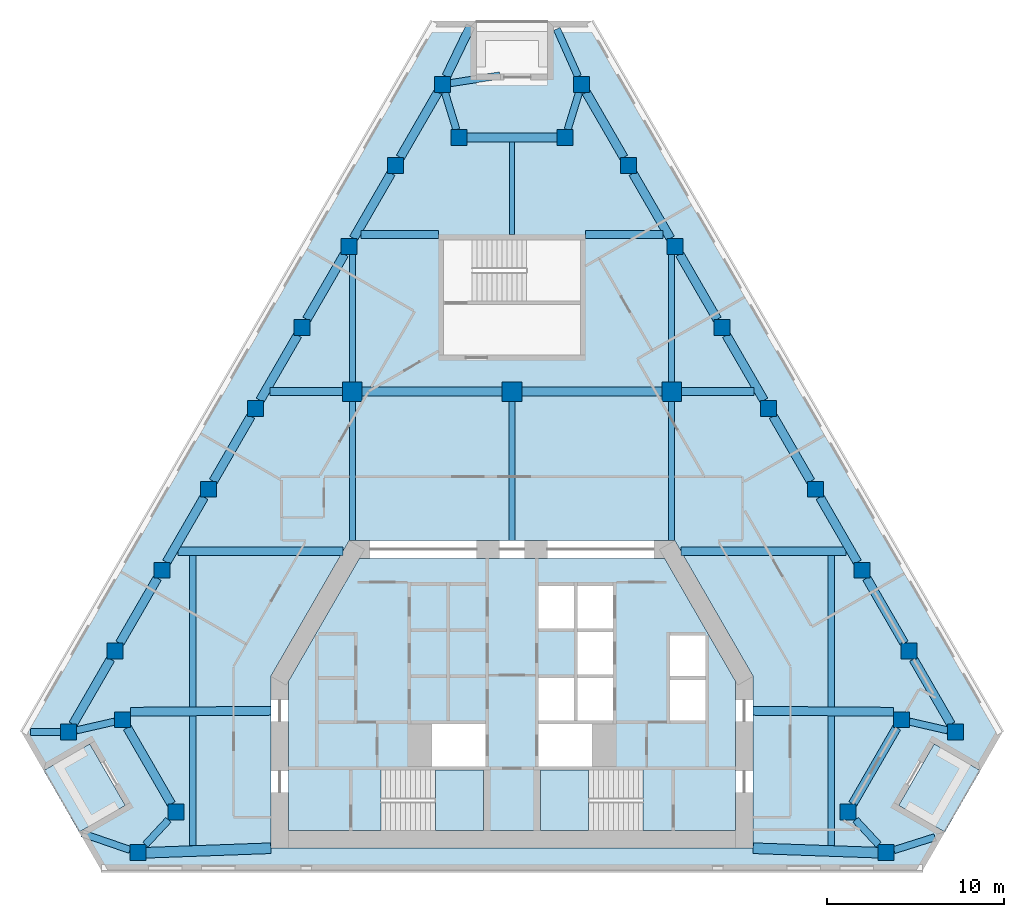
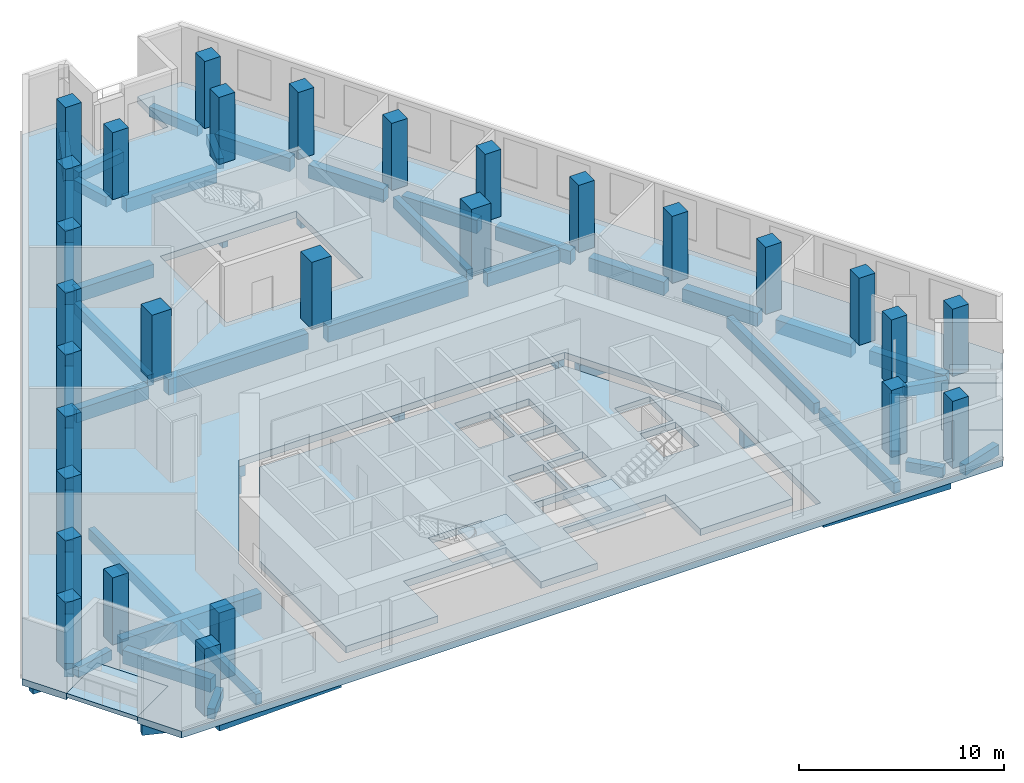
# One storey, part 1 of 9: 53 beams, 29 columns, 6 slabs, 2 elements without a shape of their own.
"""IFC4 building model written with IfcOpenShell, lengths in metres."""

from ifc_helpers import new_model, si_unit, direction, frame, origin, origin_2d, place, context, subcontext, project, spatial, polyline, rectangle, outline, extrude, material, layer, layer_set, material_profile, profile_set, type_object, element, aggregate, save


model = new_model("IFC4")

# Units and contexts
model_context = context("Model", 3, precision=1e-05, world=origin(), true_north=direction((0.0, 1.0)))
body_context = subcontext(model_context, "Body", "Model", "MODEL_VIEW")
ifc_project = project(units=[si_unit("LENGTHUNIT", "METRE"), si_unit("AREAUNIT", "SQUARE_METRE"), si_unit("VOLUMEUNIT", "CUBIC_METRE"), si_unit("PLANEANGLEUNIT", "RADIAN"), si_unit("MASSUNIT", "GRAM", prefix="KILO")], contexts=[model_context])

# Site, building, storey
site_placement = place(None, origin())
site = spatial("IfcSite", under=ifc_project, at=site_placement, CompositionType="ELEMENT")
building_placement = place(site_placement, origin())
building = spatial("IfcBuilding", under=site, at=building_placement, Name="Fogline Exchange Tower", CompositionType="ELEMENT")
storey_placement = place(building_placement, frame((0.0, 0.0, 202.10009765625)))
storey = spatial("IfcBuildingStorey", under=building, at=storey_placement, Name="L45", CompositionType="ELEMENT", Elevation=202.10009765625)

# Columns
ifc_material_1 = material(Name="Concrete C60", Category="concrete")
ifc_material_profile_1 = material_profile(ifc_material_1, rectangle(XDim=1.10009765625, YDim=1.10009765625, at=origin_2d()), Name="RC 1100x1100")
ifc_profile_set_1 = profile_set([ifc_material_profile_1], Name="Concrete C60")
column_type_1 = type_object("IfcColumnType", Name="C05", PredefinedType="COLUMN", material=ifc_profile_set_1)
for number, where, z_axis, x_axis, name in (
    (1, (-9.0, 27.0, 0.0), (0.0, 0.0, 1.0), (1.0, 0.0, 0.0), "IC--9-27"),
    (2, (0.0, 27.0, 0.0), (0.0, 0.0, 1.0), (1.0, 0.0, 0.0), "IC-0-27"),
    (3, (9.0, 27.0, 0.0), (0.0, 0.0, 1.0), (1.0, 0.0, 0.0), "IC-9-27"),
):
    element("IfcColumn", number, at=place(storey_placement, frame(where, z_axis=z_axis, x_axis=x_axis)), inside=storey, type_object=column_type_1, Name=name, PredefinedType="COLUMN", context=body_context, shape_type="SweptSolid", body=[
        extrude(rectangle(XDim=1.10009765625, YDim=1.10009765625, at=origin_2d()), origin(), (0.0, 0.0, 1.0), 4.0),
    ])
ifc_material_profile_2 = material_profile(ifc_material_1, rectangle(XDim=0.89990234375, YDim=0.89990234375, at=origin_2d()), Name="RC 900x900")
ifc_profile_set_2 = profile_set([ifc_material_profile_2], Name="Concrete C60")
column_type_2 = type_object("IfcColumnType", Name="C06", PredefinedType="COLUMN", material=ifc_profile_set_2)
for number, where, z_axis, x_axis, name in (
    (4, (-25.0146484375, 7.794189453125, 0.0), (0.0, 0.0, 1.0), (1.0, 0.0, 0.0), "SW-a"),
    (5, (-21.955322265625, 8.4951171875, 0.0), (0.0, 0.0, 1.0), (1.0, 0.0, 0.0), "SW-p4"),
    (6, (-18.955322265625, 3.299072265625, 0.0), (0.0, 0.0, 1.0), (1.0, 0.0, 0.0), "SW-p3"),
    (7, (-21.092041015625, 1.0, 0.0), (0.0, 0.0, 1.0), (1.0, 0.0, 0.0), "SW-b"),
    (8, (21.092041015625, 1.0, 0.0), (0.0, 0.0, 1.0), (1.0, 0.0, 0.0), "SE-a"),
    (9, (18.955322265625, 3.299072265625, 0.0), (0.0, 0.0, 1.0), (1.0, 0.0, 0.0), "SE-p4"),
    (10, (21.955322265625, 8.4951171875, 0.0), (0.0, 0.0, 1.0), (1.0, 0.0, 0.0), "SE-p3"),
    (11, (25.0146484375, 7.794189453125, 0.0), (0.0, 0.0, 1.0), (1.0, 0.0, 0.0), "SE-b"),
    (12, (22.378173828125, 12.36083984375, 0.0), (0.0, 0.0, 1.0), (1.0, 0.0, 0.0), "E1"),
    (13, (19.74169921875, 16.92724609375, 0.0), (0.0, 0.0, 1.0), (1.0, 0.0, 0.0), "E2"),
    (14, (17.105224609375, 21.493896484375, 0.0), (0.0, 0.0, 1.0), (1.0, 0.0, 0.0), "E3"),
    (15, (14.46875, 26.060302734375, 0.0), (0.0, 0.0, 1.0), (1.0, 0.0, 0.0), "E4"),
    (16, (11.832275390625, 30.626953125, 0.0), (0.0, 0.0, 1.0), (1.0, 0.0, 0.0), "E5"),
    (17, (9.19580078125, 35.193603515625, 0.0), (0.0, 0.0, 1.0), (1.0, 0.0, 0.0), "E6"),
    (18, (6.55908203125, 39.760009765625, 0.0), (0.0, 0.0, 1.0), (1.0, 0.0, 0.0), "E7"),
    (19, (3.922607421875, 44.32666015625, 0.0), (0.0, 0.0, 1.0), (1.0, 0.0, 0.0), "N-a"),
    (20, (3.0, 41.32666015625, 0.0), (0.0, 0.0, 1.0), (1.0, 0.0, 0.0), "N-p4"),
    (21, (-3.0, 41.32666015625, 0.0), (0.0, 0.0, 1.0), (1.0, 0.0, 0.0), "N-p3"),
    (22, (-3.922607421875, 44.32666015625, 0.0), (0.0, 0.0, 1.0), (1.0, 0.0, 0.0), "N-b"),
    (23, (-6.55908203125, 39.760009765625, 0.0), (0.0, 0.0, 1.0), (1.0, 0.0, 0.0), "W1"),
    (24, (-9.19580078125, 35.193603515625, 0.0), (0.0, 0.0, 1.0), (1.0, 0.0, 0.0), "W2"),
    (25, (-11.832275390625, 30.626953125, 0.0), (0.0, 0.0, 1.0), (1.0, 0.0, 0.0), "W3"),
    (26, (-14.46875, 26.060302734375, 0.0), (0.0, 0.0, 1.0), (1.0, 0.0, 0.0), "W4"),
    (27, (-17.105224609375, 21.493896484375, 0.0), (0.0, 0.0, 1.0), (1.0, 0.0, 0.0), "W5"),
    (28, (-19.74169921875, 16.92724609375, 0.0), (0.0, 0.0, 1.0), (1.0, 0.0, 0.0), "W6"),
    (29, (-22.378173828125, 12.36083984375, 0.0), (0.0, 0.0, 1.0), (1.0, 0.0, 0.0), "W7"),
):
    element("IfcColumn", number, at=place(storey_placement, frame(where, z_axis=z_axis, x_axis=x_axis)), inside=storey, type_object=column_type_2, Name=name, PredefinedType="COLUMN", context=body_context, shape_type="SweptSolid", body=[
        extrude(rectangle(XDim=0.89990234375, YDim=0.89990234375, at=origin_2d()), origin(), (0.0, 0.0, 1.0), 4.0),
    ])

# Beams
ifc_material_2 = material(Name="Concrete C40", Category="concrete")
ifc_material_profile_3 = material_profile(ifc_material_2, rectangle(XDim=0.300048828125, YDim=0.60009765625, at=origin_2d()), Name="RC 300x600")
ifc_profile_set_3 = profile_set([ifc_material_profile_3], Name="Concrete C40")
beam_type_1 = type_object("IfcBeamType", Name="B06", PredefinedType="BEAM", material=ifc_profile_set_3)
beam_1_placement = place(storey_placement, frame((0.0, 35.85693359375, -0.7001953125), z_axis=(0.0, 1.0, 0.0), x_axis=(-1.0, 0.0, 0.0)))
element("IfcBeam", 30, at=beam_1_placement, inside=storey, type_object=beam_type_1, Name="SB006", PredefinedType="BEAM", context=body_context, shape_type="SweptSolid", body=[
    extrude(rectangle(XDim=0.300048828125, YDim=0.60009765625, at=origin_2d()), origin(), (0.0, 0.0, 1.0), 5.2197265625),
])
ifc_material_profile_4 = material_profile(ifc_material_2, rectangle(XDim=0.60009765625, YDim=0.89990234375, at=origin_2d()), Name="RC 600x900")
ifc_profile_set_4 = profile_set([ifc_material_profile_4], Name="Concrete C40")
beam_type_2 = type_object("IfcBeamType", Name="B09", PredefinedType="BEAM", material=ifc_profile_set_4)
beam_2_placement = place(storey_placement, frame((-20.64208984375, 0.99462890625, -0.85009765625), z_axis=(0.999343107492, 0.036240219472, 0.0), x_axis=(-0.036240219472, 0.999343107492, 0.0)))
element("IfcBeam", 31, at=beam_2_placement, inside=storey, type_object=beam_type_2, Name="RB004", PredefinedType="BEAM", context=body_context, shape_type="SweptSolid", body=[
    extrude(rectangle(XDim=0.60009765625, YDim=0.89990234375, at=origin_2d()), origin(), (0.0, 0.0, 1.0), 7.046630859375),
])
beam_3_placement = place(storey_placement, frame((13.60009765625, 1.25, -0.85009765625), z_axis=(0.99937042328, -0.035478966629, 0.0), x_axis=(0.035478966629, 0.99937042328, 0.0)))
element("IfcBeam", 32, at=beam_3_placement, inside=storey, type_object=beam_type_2, Name="RB005", PredefinedType="BEAM", context=body_context, shape_type="SweptSolid", body=[
    extrude(rectangle(XDim=0.60009765625, YDim=0.89990234375, at=origin_2d()), origin(), (0.0, 0.0, 1.0), 7.04638671875),
])
ifc_material_profile_5 = material_profile(ifc_material_2, rectangle(XDim=0.5, YDim=0.800048828125, at=origin_2d()), Name="RC 500x800")
ifc_profile_set_5 = profile_set([ifc_material_profile_5], Name="Concrete C40")
beam_type_3 = type_object("IfcBeamType", Name="B10", PredefinedType="BEAM", material=ifc_profile_set_5)
for number, where, z_axis, x_axis, name in (
    (33, (-21.6953125, 8.045166015625, -0.800048828125), (0.499976646485, -0.866038886523, 0.0), (0.866038886523, 0.499976646485, 0.0), "RB002"),
    (34, (19.215087890625, 3.7490234375, -0.800048828125), (0.499976646485, 0.866038886523, 0.0), (-0.866038886523, 0.499976646485, 0.0), "RB007"),
):
    element("IfcBeam", number, at=place(storey_placement, frame(where, z_axis=z_axis, x_axis=x_axis)), inside=storey, type_object=beam_type_3, Name=name, PredefinedType="BEAM", context=body_context, shape_type="SweptSolid", body=[
        extrude(rectangle(XDim=0.5, YDim=0.800048828125, at=origin_2d()), origin(), (0.0, 0.0, 1.0), 4.960693359375),
    ])
beam_4_placement = place(storey_placement, frame((24.7548828125, 8.244140625, -0.800048828125), z_axis=(-0.499990325971, 0.866030989016, 0.0), x_axis=(-0.866030989016, -0.499990325971, 0.0)))
element("IfcBeam", 35, at=beam_4_placement, inside=storey, type_object=beam_type_3, Name="RB009", PredefinedType="BEAM", context=body_context, shape_type="SweptSolid", body=[
    extrude(rectangle(XDim=0.5, YDim=0.800048828125, at=origin_2d()), origin(), (0.0, 0.0, 1.0), 4.23388671875),
])
beam_5_placement = place(storey_placement, frame((22.118408203125, 12.810791015625, -0.800048828125), z_axis=(-0.500015295222, 0.866016572904, 0.0), x_axis=(-0.866016572904, -0.500015295222, 0.0)))
element("IfcBeam", 36, at=beam_5_placement, inside=storey, type_object=beam_type_3, Name="RB010", PredefinedType="BEAM", context=body_context, shape_type="SweptSolid", body=[
    extrude(rectangle(XDim=0.5, YDim=0.800048828125, at=origin_2d()), origin(), (0.0, 0.0, 1.0), 4.233642578125),
])
beam_6_placement = place(storey_placement, frame((19.481689453125, 17.377197265625, -0.800048828125), z_axis=(-0.499947076772, 0.866055956868, 0.0), x_axis=(-0.866055956868, -0.499947076772, 0.0)))
element("IfcBeam", 37, at=beam_6_placement, inside=storey, type_object=beam_type_3, Name="RB011", PredefinedType="BEAM", context=body_context, shape_type="SweptSolid", body=[
    extrude(rectangle(XDim=0.5, YDim=0.800048828125, at=origin_2d()), origin(), (0.0, 0.0, 1.0), 4.23388671875),
])
for number, where, z_axis, x_axis, name in (
    (38, (16.84521484375, 21.94384765625, -0.800048828125), (-0.499972045304, 0.866041542834, 0.0), (-0.866041542834, -0.499972045304, 0.0), "RB012"),
    (39, (14.208740234375, 26.510498046875, -0.800048828125), (-0.499972045304, 0.866041542834, 0.0), (-0.866041542834, -0.499972045304, 0.0), "RB013"),
    (40, (11.572265625, 31.076904296875, -0.800048828125), (-0.499972045304, 0.866041542834, 0.0), (-0.866041542834, -0.499972045304, 0.0), "RB014"),
    (41, (8.935791015625, 35.6435546875, -0.800048828125), (-0.499972045304, 0.866041542834, 0.0), (-0.866041542834, -0.499972045304, 0.0), "RB015"),
    (42, (6.29931640625, 40.210205078125, -0.800048828125), (-0.499972045304, 0.866041542834, 0.0), (-0.866041542834, -0.499972045304, 0.0), "RB016"),
):
    element("IfcBeam", number, at=place(storey_placement, frame(where, z_axis=z_axis, x_axis=x_axis)), inside=storey, type_object=beam_type_3, Name=name, PredefinedType="BEAM", context=body_context, shape_type="SweptSolid", body=[
        extrude(rectangle(XDim=0.5, YDim=0.800048828125, at=origin_2d()), origin(), (0.0, 0.0, 1.0), 4.233642578125),
    ])
beam_7_placement = place(storey_placement, frame((2.550048828125, 41.32666015625, -0.800048828125), z_axis=(-1.0, 0.0, 0.0), x_axis=(0.0, -1.0, 0.0)))
element("IfcBeam", 43, at=beam_7_placement, inside=storey, type_object=beam_type_3, Name="RB018", PredefinedType="BEAM", context=body_context, shape_type="SweptSolid", body=[
    extrude(rectangle(XDim=0.5, YDim=0.800048828125, at=origin_2d()), origin(), (0.0, 0.0, 1.0), 5.10009765625),
])
for number, where, z_axis, x_axis, name in (
    (44, (-4.1826171875, 43.876708984375, -0.800048828125), (-0.499972045304, -0.866041542834, 0.0), (0.866041542834, -0.499972045304, 0.0), "RB020"),
    (45, (-6.819091796875, 39.31005859375, -0.800048828125), (-0.499972045304, -0.866041542834, 0.0), (0.866041542834, -0.499972045304, 0.0), "RB021"),
    (46, (-9.45556640625, 34.743408203125, -0.800048828125), (-0.499972045304, -0.866041542834, 0.0), (0.866041542834, -0.499972045304, 0.0), "RB022"),
    (47, (-12.092041015625, 30.177001953125, -0.800048828125), (-0.499972045304, -0.866041542834, 0.0), (0.866041542834, -0.499972045304, 0.0), "RB023"),
    (48, (-14.728515625, 25.6103515625, -0.800048828125), (-0.499972045304, -0.866041542834, 0.0), (0.866041542834, -0.499972045304, 0.0), "RB024"),
):
    element("IfcBeam", number, at=place(storey_placement, frame(where, z_axis=z_axis, x_axis=x_axis)), inside=storey, type_object=beam_type_3, Name=name, PredefinedType="BEAM", context=body_context, shape_type="SweptSolid", body=[
        extrude(rectangle(XDim=0.5, YDim=0.800048828125, at=origin_2d()), origin(), (0.0, 0.0, 1.0), 4.233642578125),
    ])
beam_8_placement = place(storey_placement, frame((-17.364990234375, 21.0439453125, -0.800048828125), z_axis=(-0.499947076772, -0.866055956868, 0.0), x_axis=(0.866055956868, -0.499947076772, 0.0)))
element("IfcBeam", 49, at=beam_8_placement, inside=storey, type_object=beam_type_3, Name="RB025", PredefinedType="BEAM", context=body_context, shape_type="SweptSolid", body=[
    extrude(rectangle(XDim=0.5, YDim=0.800048828125, at=origin_2d()), origin(), (0.0, 0.0, 1.0), 4.23388671875),
])
beam_9_placement = place(storey_placement, frame((-20.00146484375, 16.477294921875, -0.800048828125), z_axis=(-0.500015295222, -0.866016572904, 0.0), x_axis=(0.866016572904, -0.500015295222, 0.0)))
element("IfcBeam", 50, at=beam_9_placement, inside=storey, type_object=beam_type_3, Name="RB026", PredefinedType="BEAM", context=body_context, shape_type="SweptSolid", body=[
    extrude(rectangle(XDim=0.5, YDim=0.800048828125, at=origin_2d()), origin(), (0.0, 0.0, 1.0), 4.233642578125),
])
beam_10_placement = place(storey_placement, frame((-22.637939453125, 11.910888671875, -0.800048828125), z_axis=(-0.499990325971, -0.866030989016, 0.0), x_axis=(0.866030989016, -0.499990325971, 0.0)))
element("IfcBeam", 51, at=beam_10_placement, inside=storey, type_object=beam_type_3, Name="RB027", PredefinedType="BEAM", context=body_context, shape_type="SweptSolid", body=[
    extrude(rectangle(XDim=0.5, YDim=0.800048828125, at=origin_2d()), origin(), (0.0, 0.0, 1.0), 4.23388671875),
])
beam_11_placement = place(storey_placement, frame((-3.705810546875, 44.776611328125, -0.800048828125), z_axis=(0.433976557903, 0.900924162841, 0.0), x_axis=(-0.900924162841, 0.433976557903, 0.0)))
element("IfcBeam", 52, at=beam_11_placement, inside=storey, type_object=beam_type_3, Name="SP028", PredefinedType="BEAM", context=body_context, shape_type="SweptSolid", body=[
    extrude(rectangle(XDim=0.5, YDim=0.800048828125, at=origin_2d()), origin(), (0.0, 0.0, 1.0), 3.14697265625),
])
ifc_material_profile_6 = material_profile(ifc_material_2, rectangle(XDim=0.39990234375, YDim=0.60009765625, at=origin_2d()), Name="RC 400x600")
ifc_profile_set_6 = profile_set([ifc_material_profile_6], Name="Concrete C40")
beam_type_4 = type_object("IfcBeamType", Name="B11", PredefinedType="BEAM", material=ifc_profile_set_6)
beam_12_placement = place(storey_placement, frame((-24.564697265625, 7.897216796875, -0.7001953125), z_axis=(0.974731818643, 0.223378337636, 0.0), x_axis=(-0.223378337636, 0.974731818643, 0.0)))
element("IfcBeam", 53, at=beam_12_placement, inside=storey, type_object=beam_type_4, Name="RB001", PredefinedType="BEAM", context=body_context, shape_type="SweptSolid", body=[
    extrude(rectangle(XDim=0.39990234375, YDim=0.60009765625, at=origin_2d()), origin(), (0.0, 0.0, 1.0), 2.21533203125),
])
for number, where, z_axis, x_axis, name in (
    (54, (-19.37353515625, 2.84912109375, -0.7001953125), (-0.68075009804, -0.732515736362, 0.0), (0.732515736362, -0.68075009804, 0.0), "RB003"),
    (55, (20.673828125, 1.449951171875, -0.7001953125), (-0.68075009804, 0.732515736362, 0.0), (-0.732515736362, -0.68075009804, 0.0), "RB006"),
):
    element("IfcBeam", number, at=place(storey_placement, frame(where, z_axis=z_axis, x_axis=x_axis)), inside=storey, type_object=beam_type_4, Name=name, PredefinedType="BEAM", context=body_context, shape_type="SweptSolid", body=[
        extrude(rectangle(XDim=0.39990234375, YDim=0.60009765625, at=origin_2d()), origin(), (0.0, 0.0, 1.0), 1.91015625),
    ])
beam_13_placement = place(storey_placement, frame((22.4052734375, 8.39208984375, -0.7001953125), z_axis=(0.974731818643, -0.223378337636, 0.0), x_axis=(0.223378337636, 0.974731818643, 0.0)))
element("IfcBeam", 56, at=beam_13_placement, inside=storey, type_object=beam_type_4, Name="RB008", PredefinedType="BEAM", context=body_context, shape_type="SweptSolid", body=[
    extrude(rectangle(XDim=0.39990234375, YDim=0.60009765625, at=origin_2d()), origin(), (0.0, 0.0, 1.0), 2.21533203125),
])
for number, where, z_axis, x_axis, name in (
    (57, (3.7841796875, 43.876708984375, -0.7001953125), (-0.293906253456, -0.95583425037, 0.0), (0.95583425037, -0.293906253456, 0.0), "RB017"),
    (58, (-3.138427734375, 41.776611328125, -0.7001953125), (-0.293906253456, 0.95583425037, 0.0), (-0.95583425037, -0.293906253456, 0.0), "RB019"),
):
    element("IfcBeam", number, at=place(storey_placement, frame(where, z_axis=z_axis, x_axis=x_axis)), inside=storey, type_object=beam_type_4, Name=name, PredefinedType="BEAM", context=body_context, shape_type="SweptSolid", body=[
        extrude(rectangle(XDim=0.39990234375, YDim=0.60009765625, at=origin_2d()), origin(), (0.0, 0.0, 1.0), 2.197021484375),
    ])
beam_14_placement = place(storey_placement, frame((3.72216796875, 44.776611328125, -0.7001953125), z_axis=(-0.406858193397, 0.913491330263, 0.0), x_axis=(-0.913491330263, -0.406858193397, 0.0)))
element("IfcBeam", 59, at=beam_14_placement, inside=storey, type_object=beam_type_4, Name="SP029", PredefinedType="BEAM", context=body_context, shape_type="SweptSolid", body=[
    extrude(rectangle(XDim=0.39990234375, YDim=0.60009765625, at=origin_2d()), origin(), (0.0, 0.0, 1.0), 2.926513671875),
])
beam_15_placement = place(storey_placement, frame((-21.5419921875, 1.1552734375, -0.7001953125), z_axis=(-0.945399347961, 0.325914210913, 0.0), x_axis=(-0.325914210913, -0.945399347961, 0.0)))
element("IfcBeam", 60, at=beam_15_placement, inside=storey, type_object=beam_type_4, Name="SP030", PredefinedType="BEAM", context=body_context, shape_type="SweptSolid", body=[
    extrude(rectangle(XDim=0.39990234375, YDim=0.60009765625, at=origin_2d()), origin(), (0.0, 0.0, 1.0), 2.853271484375),
])
beam_16_placement = place(storey_placement, frame((21.5419921875, 1.142578125, -0.7001953125), z_axis=(0.953254707246, 0.302167938593, 0.0), x_axis=(-0.302167938593, 0.953254707246, 0.0)))
element("IfcBeam", 61, at=beam_16_placement, inside=storey, type_object=beam_type_4, Name="SP031", PredefinedType="BEAM", context=body_context, shape_type="SweptSolid", body=[
    extrude(rectangle(XDim=0.39990234375, YDim=0.60009765625, at=origin_2d()), origin(), (0.0, 0.0, 1.0), 2.423095703125),
])
beam_17_placement = place(storey_placement, frame((-3.47265625, 44.396484375, -0.7001953125), z_axis=(0.988163069181, 0.153407133817, 0.0), x_axis=(-0.153407133817, 0.988163069181, 0.0)))
element("IfcBeam", 62, at=beam_17_placement, inside=storey, type_object=beam_type_4, Name="SP032", PredefinedType="BEAM", context=body_context, shape_type="SweptSolid", body=[
    extrude(rectangle(XDim=0.39990234375, YDim=0.60009765625, at=origin_2d()), origin(), (0.0, 0.0, 1.0), 2.826416015625),
])
beam_18_placement = place(storey_placement, frame((-25.464599609375, 7.794189453125, -0.7001953125), z_axis=(-1.0, 0.0, 0.0), x_axis=(0.0, -1.0, 0.0)))
element("IfcBeam", 63, at=beam_18_placement, inside=storey, type_object=beam_type_4, Name="SP033", PredefinedType="BEAM", context=body_context, shape_type="SweptSolid", body=[
    extrude(rectangle(XDim=0.39990234375, YDim=0.60009765625, at=origin_2d()), origin(), (0.0, 0.0, 1.0), 1.6943359375),
])
ifc_material_profile_7 = material_profile(ifc_material_2, rectangle(XDim=0.5, YDim=0.949951171875, at=origin_2d()), Name="RC 500x950")
ifc_profile_set_7 = profile_set([ifc_material_profile_7], Name="Concrete C40")
beam_type_5 = type_object("IfcBeamType", Name="B14", PredefinedType="BEAM", material=ifc_profile_set_7)
for number, where, z_axis, x_axis, name in (
    (64, (-21.50537109375, 8.9453125, -0.875), (0.999976072531, 0.006917684998, 0.0), (-0.006917684998, 0.999976072531, 0.0), "GB001"),
    (65, (13.60009765625, 9.0, -0.875), (0.999976072531, -0.006917684998, 0.0), (0.006917684998, 0.999976072531, 0.0), "GB002"),
):
    element("IfcBeam", number, at=place(storey_placement, frame(where, z_axis=z_axis, x_axis=x_axis)), inside=storey, type_object=beam_type_5, Name=name, PredefinedType="BEAM", context=body_context, shape_type="SweptSolid", body=[
        extrude(rectangle(XDim=0.5, YDim=0.949951171875, at=origin_2d()), origin(), (0.0, 0.0, 1.0), 7.905517578125),
    ])
for number, where, z_axis, x_axis, name in (
    (66, (-18.833740234375, 18.0, -0.875), (1.0, 0.0, 0.0), (0.0, 1.0, 0.0), "GB003"),
    (67, (9.527099609375, 18.0, -0.875), (1.0, 0.0, 0.0), (0.0, 1.0, 0.0), "GB004"),
):
    element("IfcBeam", number, at=place(storey_placement, frame(where, z_axis=z_axis, x_axis=x_axis)), inside=storey, type_object=beam_type_5, Name=name, PredefinedType="BEAM", context=body_context, shape_type="SweptSolid", body=[
        extrude(rectangle(XDim=0.5, YDim=0.949951171875, at=origin_2d()), origin(), (0.0, 0.0, 1.0), 9.306640625),
    ])
for number, where, z_axis, x_axis, name in (
    (68, (-8.449951171875, 27.0, -0.875), (1.0, 0.0, 0.0), (0.0, 1.0, 0.0), "GB006"),
    (69, (0.550048828125, 27.0, -0.875), (1.0, 0.0, 0.0), (0.0, 1.0, 0.0), "GB007"),
):
    element("IfcBeam", number, at=place(storey_placement, frame(where, z_axis=z_axis, x_axis=x_axis)), inside=storey, type_object=beam_type_5, Name=name, PredefinedType="BEAM", context=body_context, shape_type="SweptSolid", body=[
        extrude(rectangle(XDim=0.5, YDim=0.949951171875, at=origin_2d()), origin(), (0.0, 0.0, 1.0), 7.89990234375),
    ])
ifc_material_profile_8 = material_profile(ifc_material_2, rectangle(XDim=0.35009765625, YDim=0.64990234375, at=origin_2d()), Name="RC 350x650")
ifc_profile_set_8 = profile_set([ifc_material_profile_8], Name="Concrete C40")
beam_type_6 = type_object("IfcBeamType", Name="B16", PredefinedType="BEAM", material=ifc_profile_set_8)
beam_19_placement = place(storey_placement, frame((-18.0, 1.390625, -0.72509765625), z_axis=(0.0, 1.0, 0.0), x_axis=(-1.0, 0.0, 0.0)))
element("IfcBeam", 70, at=beam_19_placement, inside=storey, type_object=beam_type_6, Name="SB001", PredefinedType="BEAM", context=body_context, shape_type="SweptSolid", body=[
    extrude(rectangle(XDim=0.35009765625, YDim=0.64990234375, at=origin_2d()), origin(), (0.0, 0.0, 1.0), 7.328857421875),
])
beam_20_placement = place(storey_placement, frame((-18.0, 9.219482421875, -0.72509765625), z_axis=(0.0, 1.0, 0.0), x_axis=(-1.0, 0.0, 0.0)))
element("IfcBeam", 71, at=beam_20_placement, inside=storey, type_object=beam_type_6, Name="SB002", PredefinedType="BEAM", context=body_context, shape_type="SweptSolid", body=[
    extrude(rectangle(XDim=0.35009765625, YDim=0.64990234375, at=origin_2d()), origin(), (0.0, 0.0, 1.0), 8.530517578125),
])
beam_21_placement = place(storey_placement, frame((-9.0, 18.60009765625, -0.72509765625), z_axis=(0.0, 1.0, 0.0), x_axis=(-1.0, 0.0, 0.0)))
element("IfcBeam", 72, at=beam_21_placement, inside=storey, type_object=beam_type_6, Name="SB003", PredefinedType="BEAM", context=body_context, shape_type="SweptSolid", body=[
    extrude(rectangle(XDim=0.35009765625, YDim=0.64990234375, at=origin_2d()), origin(), (0.0, 0.0, 1.0), 7.849853515625),
])
beam_22_placement = place(storey_placement, frame((-9.0, 27.550048828125, -0.72509765625), z_axis=(0.0, 1.0, 0.0), x_axis=(-1.0, 0.0, 0.0)))
element("IfcBeam", 73, at=beam_22_placement, inside=storey, type_object=beam_type_6, Name="SB004", PredefinedType="BEAM", context=body_context, shape_type="SweptSolid", body=[
    extrude(rectangle(XDim=0.35009765625, YDim=0.64990234375, at=origin_2d()), origin(), (0.0, 0.0, 1.0), 7.193359375),
])
for number, where, z_axis, x_axis, name in (
    (74, (0.0, 18.60009765625, -0.72509765625), (0.0, 1.0, 0.0), (-1.0, 0.0, 0.0), "SB005"),
    (75, (9.0, 18.60009765625, -0.72509765625), (0.0, 1.0, 0.0), (-1.0, 0.0, 0.0), "SB007"),
):
    element("IfcBeam", number, at=place(storey_placement, frame(where, z_axis=z_axis, x_axis=x_axis)), inside=storey, type_object=beam_type_6, Name=name, PredefinedType="BEAM", context=body_context, shape_type="SweptSolid", body=[
        extrude(rectangle(XDim=0.35009765625, YDim=0.64990234375, at=origin_2d()), origin(), (0.0, 0.0, 1.0), 7.849853515625),
    ])
beam_23_placement = place(storey_placement, frame((9.0, 27.550048828125, -0.72509765625), z_axis=(0.0, 1.0, 0.0), x_axis=(-1.0, 0.0, 0.0)))
element("IfcBeam", 76, at=beam_23_placement, inside=storey, type_object=beam_type_6, Name="SB008", PredefinedType="BEAM", context=body_context, shape_type="SweptSolid", body=[
    extrude(rectangle(XDim=0.35009765625, YDim=0.64990234375, at=origin_2d()), origin(), (0.0, 0.0, 1.0), 7.193359375),
])
beam_24_placement = place(storey_placement, frame((18.0, 1.39404296875, -0.72509765625), z_axis=(0.0, 1.0, 0.0), x_axis=(-1.0, 0.0, 0.0)))
element("IfcBeam", 77, at=beam_24_placement, inside=storey, type_object=beam_type_6, Name="SB009", PredefinedType="BEAM", context=body_context, shape_type="SweptSolid", body=[
    extrude(rectangle(XDim=0.35009765625, YDim=0.64990234375, at=origin_2d()), origin(), (0.0, 0.0, 1.0), 7.325439453125),
])
beam_25_placement = place(storey_placement, frame((18.0, 9.219482421875, -0.72509765625), z_axis=(0.0, 1.0, 0.0), x_axis=(-1.0, 0.0, 0.0)))
element("IfcBeam", 78, at=beam_25_placement, inside=storey, type_object=beam_type_6, Name="SB010", PredefinedType="BEAM", context=body_context, shape_type="SweptSolid", body=[
    extrude(rectangle(XDim=0.35009765625, YDim=0.64990234375, at=origin_2d()), origin(), (0.0, 0.0, 1.0), 8.530517578125),
])
ifc_material_profile_9 = material_profile(ifc_material_2, rectangle(XDim=0.449951171875, YDim=0.800048828125, at=origin_2d()), Name="RC 450x800")
ifc_profile_set_9 = profile_set([ifc_material_profile_9], Name="Concrete C40")
beam_type_7 = type_object("IfcBeamType", Name="B18", PredefinedType="BEAM", material=ifc_profile_set_9)
for number, where, z_axis, x_axis, name in (
    (79, (-13.637451171875, 27.0, -0.800048828125), (1.0, 0.0, 0.0), (0.0, 1.0, 0.0), "GB005"),
    (80, (9.550048828125, 27.0, -0.800048828125), (1.0, 0.0, 0.0), (0.0, 1.0, 0.0), "GB008"),
):
    element("IfcBeam", number, at=place(storey_placement, frame(where, z_axis=z_axis, x_axis=x_axis)), inside=storey, type_object=beam_type_7, Name=name, PredefinedType="BEAM", context=body_context, shape_type="SweptSolid", body=[
        extrude(rectangle(XDim=0.449951171875, YDim=0.800048828125, at=origin_2d()), origin(), (0.0, 0.0, 1.0), 4.08740234375),
    ])
for number, where, z_axis, x_axis, name in (
    (81, (-8.52392578125, 35.85693359375, -0.800048828125), (1.0, 0.0, 0.0), (0.0, 1.0, 0.0), "GB009"),
    (82, (4.14990234375, 35.85693359375, -0.800048828125), (1.0, 0.0, 0.0), (0.0, 1.0, 0.0), "GB010"),
):
    element("IfcBeam", number, at=place(storey_placement, frame(where, z_axis=z_axis, x_axis=x_axis)), inside=storey, type_object=beam_type_7, Name=name, PredefinedType="BEAM", context=body_context, shape_type="SweptSolid", body=[
        extrude(rectangle(XDim=0.449951171875, YDim=0.800048828125, at=origin_2d()), origin(), (0.0, 0.0, 1.0), 4.3740234375),
    ])

# Slabs
ifc_layer_1 = layer(ifc_material_2, 0.25)
ifc_layer_set_1 = layer_set([ifc_layer_1], Name="DK1")
slab_type_1 = type_object("IfcSlabType", Name="DK1", PredefinedType="FLOOR", material=ifc_layer_set_1)
slab_1_placement = place(storey_placement, frame((0.0, 0.0, -0.25)))
element("IfcSlab", 83, at=slab_1_placement, inside=storey, type_object=slab_type_1, Name="Balcony L45 SW", PredefinedType="FLOOR", context=body_context, shape_type="SweptSolid", body=[
    extrude(outline(polyline([(-26.408935546875, 5.629150390625), (-24.408935546875, 2.1650390625), (-21.810791015625, 3.6650390625), (-23.810791015625, 7.129150390625), (-26.408935546875, 5.629150390625)])), origin(), (0.0, 0.0, 1.0), 0.25),
])
slab_2_placement = place(storey_placement, frame((0.0, 0.0, -0.25)))
element("IfcSlab", 84, at=slab_2_placement, inside=storey, type_object=slab_type_1, Name="Balcony L45 SE", PredefinedType="FLOOR", context=body_context, shape_type="SweptSolid", body=[
    extrude(outline(polyline([(24.408935546875, 2.1650390625), (26.408935546875, 5.629150390625), (23.810791015625, 7.129150390625), (21.810791015625, 3.6650390625), (24.408935546875, 2.1650390625)])), origin(), (0.0, 0.0, 1.0), 0.25),
])
ifc_layer_2 = layer(ifc_material_2, 0.39990234375)
ifc_layer_set_2 = layer_set([ifc_layer_2], Name="S03")
slab_type_2 = type_object("IfcSlabType", Name="S03", PredefinedType="FLOOR", material=ifc_layer_set_2)
slab_3_placement = place(storey_placement, frame((0.0, 0.0, -0.400146484375)))
element("IfcSlab", 85, at=slab_3_placement, inside=storey, type_object=slab_type_2, Name="SLAB L45", PredefinedType="FLOOR", context=body_context, shape_type="SweptSolid", body=[
    extrude(outline(polyline([(-2.0, 47.90673828125), (-4.5, 47.90673828125), (-27.658935546875, 7.794189453125), (-26.408935546875, 5.629150390625), (-23.810791015625, 7.129150390625), (-21.810791015625, 3.6650390625), (-24.408935546875, 2.1650390625), (-23.158935546875, 0.0), (23.158935546875, 0.0), (24.408935546875, 2.1650390625), (21.810791015625, 3.6650390625), (23.810791015625, 7.129150390625), (26.408935546875, 5.629150390625), (27.658935546875, 7.794189453125), (4.5, 47.90673828125), (2.0, 47.90673828125), (2.0, 44.90673828125), (-2.0, 44.90673828125), (-2.0, 47.90673828125)]), holes=[polyline([(13.60009765625, 10.9453125), (13.60009765625, 1.25), (-13.60009765625, 1.25), (-13.60009765625, 10.9453125), (-9.1806640625, 18.60009765625), (9.1806640625, 18.60009765625), (13.60009765625, 10.9453125)]), polyline([(3.85009765625, 35.556884765625), (3.85009765625, 29.056884765625), (-3.85009765625, 29.056884765625), (-3.85009765625, 35.556884765625), (3.85009765625, 35.556884765625)])]), origin(), (0.0, 0.0, 1.0), 0.400146484375),
])
slab_4_placement = place(storey_placement, frame((0.0, 0.0, -0.400146484375)))
element("IfcSlab", 86, at=slab_4_placement, inside=storey, type_object=slab_type_2, Name="Core floor slab", PredefinedType="FLOOR", context=body_context, shape_type="SweptSolid", body=[
    extrude(outline(polyline([(-12.60009765625, 2.25), (-12.60009765625, 10.677490234375), (-8.603271484375, 17.60009765625), (8.603271484375, 17.60009765625), (12.60009765625, 10.677490234375), (12.60009765625, 2.25), (7.389892578125, 2.25), (7.389892578125, 5.64990234375), (1.60009765625, 5.64990234375), (1.60009765625, 2.25), (-1.60009765625, 2.25), (-1.60009765625, 5.64990234375), (-7.389892578125, 5.64990234375), (-7.389892578125, 2.25), (-12.60009765625, 2.25)]), holes=[polyline([(-4.5, 8.25), (-4.5, 5.85009765625), (-1.5, 5.85009765625), (-1.5, 8.25), (-4.5, 8.25)]), polyline([(4.5, 8.25), (1.5, 8.25), (1.5, 5.85009765625), (4.5, 5.85009765625), (4.5, 8.25)]), polyline([(3.5, 10.85009765625), (1.5, 10.85009765625), (1.5, 8.449951171875), (3.5, 8.449951171875), (3.5, 10.85009765625)]), polyline([(1.5, 16.050048828125), (1.5, 13.64990234375), (3.5, 13.64990234375), (3.5, 16.050048828125), (1.5, 16.050048828125)]), polyline([(10.89990234375, 10.75), (8.89990234375, 10.75), (8.89990234375, 8.449951171875), (10.89990234375, 8.449951171875), (10.89990234375, 10.75)]), polyline([(5.699951171875, 10.85009765625), (3.699951171875, 10.85009765625), (3.699951171875, 8.449951171875), (5.699951171875, 8.449951171875), (5.699951171875, 10.85009765625)]), polyline([(8.89990234375, 13.25), (8.89990234375, 10.949951171875), (10.89990234375, 10.949951171875), (10.89990234375, 13.25), (8.89990234375, 13.25)]), polyline([(5.699951171875, 13.449951171875), (3.699951171875, 13.449951171875), (3.699951171875, 11.050048828125), (5.699951171875, 11.050048828125), (5.699951171875, 13.449951171875)]), polyline([(5.699951171875, 16.050048828125), (3.699951171875, 16.050048828125), (3.699951171875, 13.64990234375), (5.699951171875, 13.64990234375), (5.699951171875, 16.050048828125)])]), origin(), (0.0, 0.0, 1.0), 0.400146484375),
])

# Stair, slab
stair_type = type_object("IfcStairType", Name="STR24-1667", PredefinedType="HALF_TURN_STAIR", material=ifc_material_2)
stair_1_placement = place(storey_placement, origin())
stair_1 = element("IfcStair", 87, at=stair_1_placement, inside=storey, type_object=stair_type, Name="Stair ST1", PredefinedType="HALF_TURN_STAIR")
ifc_layer_3 = layer(ifc_material_2, 0.199951171875)
ifc_layer_set_3 = layer_set([ifc_layer_3], Name="SL200")
slab_type_3 = type_object("IfcSlabType", Name="SL200", PredefinedType="LANDING", material=ifc_layer_set_3)
slab_5_placement = place(storey_placement, frame((0.0, 0.0, 1.7998046875)))
slab_5 = element("IfcSlab", 88, at=slab_5_placement, type_object=slab_type_3, Name="ST1 landing 1", PredefinedType="LANDING", context=body_context, shape_type="SweptSolid", body=[
    extrude(outline(polyline([(-4.320068359375, 2.25), (-1.60009765625, 2.25), (-1.60009765625, 5.64990234375), (-4.320068359375, 5.64990234375), (-4.320068359375, 2.25)])), origin(), (0.0, 0.0, 1.0), 0.2001953125),
])
aggregate(stair_1, [slab_5])

stair_2_placement = place(storey_placement, origin())
stair_2 = element("IfcStair", 89, at=stair_2_placement, inside=storey, type_object=stair_type, Name="Stair ST2", PredefinedType="HALF_TURN_STAIR")
slab_6_placement = place(storey_placement, frame((0.0, 0.0, 1.7998046875)))
slab_6 = element("IfcSlab", 90, at=slab_6_placement, type_object=slab_type_3, Name="ST2 landing 1", PredefinedType="LANDING", context=body_context, shape_type="SweptSolid", body=[
    extrude(outline(polyline([(1.60009765625, 2.25), (4.320068359375, 2.25), (4.320068359375, 5.64990234375), (1.60009765625, 5.64990234375), (1.60009765625, 2.25)])), origin(), (0.0, 0.0, 1.0), 0.2001953125),
])
aggregate(stair_2, [slab_6])

save(model, "model.ifc")
